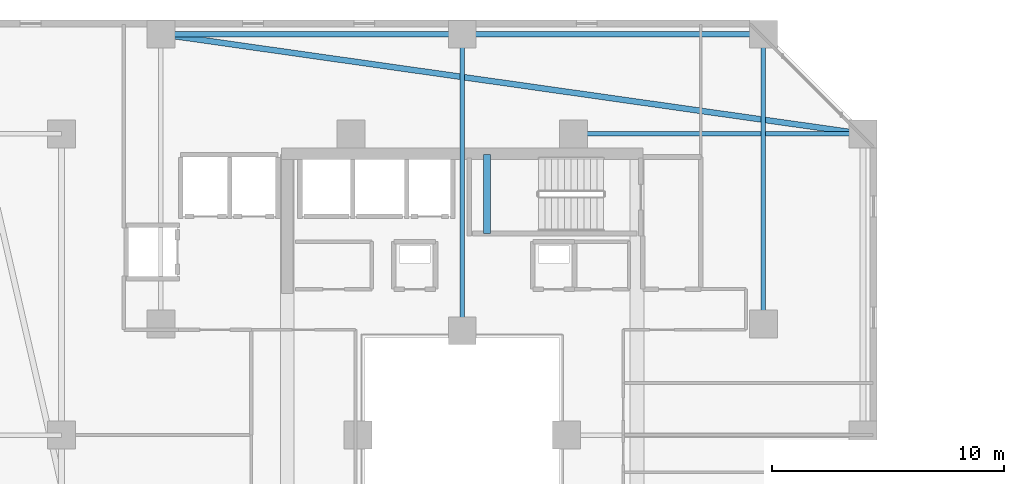
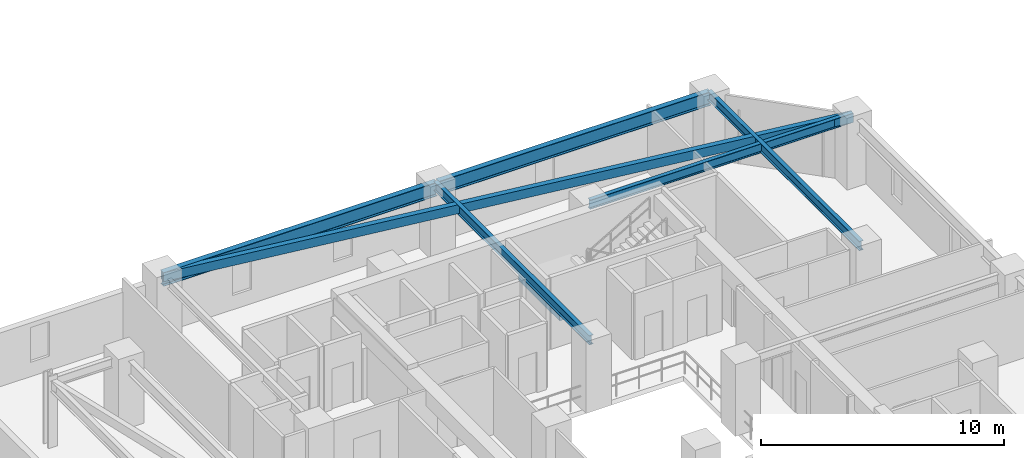
# One storey, part 8 of 33: 7 beams.
"""IFC4 building model written with IfcOpenShell, lengths in metres."""

from ifc_helpers import new_model, si_unit, direction, frame, origin, origin_2d, place, context, subcontext, project, spatial, rectangle, hollow_rectangle, i_section, extrude, material, material_profile, profile_set, type_object, element, save


model = new_model("IFC4")

# Units and contexts
model_context = context("Model", 3, precision=1e-05, world=origin(), true_north=direction((0.0, 1.0)))
body_context = subcontext(model_context, "Body", "Model", "MODEL_VIEW")
ifc_project = project(units=[si_unit("LENGTHUNIT", "METRE"), si_unit("AREAUNIT", "SQUARE_METRE"), si_unit("VOLUMEUNIT", "CUBIC_METRE"), si_unit("PLANEANGLEUNIT", "RADIAN"), si_unit("MASSUNIT", "GRAM", prefix="KILO")], contexts=[model_context])

# Site, building, storey
site_placement = place(None, origin())
site = spatial("IfcSite", under=ifc_project, at=site_placement, CompositionType="ELEMENT")
building_placement = place(site_placement, origin())
building = spatial("IfcBuilding", under=site, at=building_placement, Name="Thornwick Lancets Civic Towers", CompositionType="ELEMENT")
storey_placement = place(building_placement, frame((0.0, 0.0, 130.5)))
storey = spatial("IfcBuildingStorey", under=building, at=storey_placement, Name="L34", CompositionType="ELEMENT", Elevation=130.5)

# Beams
ifc_material_1 = material(Name="Steel S355JR", Category="steel")
ifc_material_profile_1 = material_profile(ifc_material_1, i_section(OverallWidth=0.255859375, OverallDepth=0.69287109375, WebThickness=0.014404296875, FlangeThickness=0.023681640625, FilletRadius=0.01513671875, at=origin_2d()), Name="UKB 686x254x170")
ifc_profile_set_1 = profile_set([ifc_material_profile_1], Name="Steel S355JR")
beam_type_1 = type_object("IfcBeamType", Name="BM_GIRD_686_170", PredefinedType="BEAM", material=ifc_profile_set_1)
beam_1_placement = place(storey_placement, frame((12.5, 44.300048828125, 3.013671875), z_axis=(1.0, 0.0, 0.0), x_axis=(0.0, 1.0, 0.0)))
element("IfcBeam", 1, at=beam_1_placement, inside=storey, type_object=beam_type_1, Name="BM-SPINE-L34-A-6-7", PredefinedType="BEAM", context=body_context, shape_type="SweptSolid", body=[
    extrude(i_section(OverallWidth=0.255859375, OverallDepth=0.69287109375, WebThickness=0.014404296875, FlangeThickness=0.023681640625, FilletRadius=0.01513671875, at=origin_2d()), origin(), (0.0, 0.0, 1.0), 13.0),
])
beam_2_placement = place(storey_placement, frame((25.580078125, 44.300048828125, 3.013671875), z_axis=(1.0, 0.0, 0.0), x_axis=(0.0, 1.0, 0.0)))
element("IfcBeam", 2, at=beam_2_placement, inside=storey, type_object=beam_type_1, Name="BM-SPINE-L34-A-7-8", PredefinedType="BEAM", context=body_context, shape_type="SweptSolid", body=[
    extrude(i_section(OverallWidth=0.255859375, OverallDepth=0.69287109375, WebThickness=0.014404296875, FlangeThickness=0.023681640625, FilletRadius=0.01513671875, at=origin_2d()), origin(), (0.0, 0.0, 1.0), 12.919921875),
])
ifc_material_profile_2 = material_profile(ifc_material_1, i_section(OverallWidth=0.19287109375, OverallDepth=0.46728515625, WebThickness=0.011474609375, FlangeThickness=0.01953125, FilletRadius=0.01025390625, at=origin_2d()), Name="UKB 457x191x98")
ifc_profile_set_2 = profile_set([ifc_material_profile_2], Name="Steel S355JR")
beam_type_2 = type_object("IfcBeamType", Name="BM_JOIST_457_98", PredefinedType="JOIST", material=ifc_profile_set_2)
beam_3_placement = place(storey_placement, frame((30.300048828125, 40.0, 3.12646484375), z_axis=(1.0, 0.0, 0.0), x_axis=(0.0, 1.0, 0.0)))
element("IfcBeam", 3, at=beam_3_placement, inside=storey, type_object=beam_type_2, Name="BM-RADIN-L34-A06", PredefinedType="JOIST", context=body_context, shape_type="SweptSolid", body=[
    extrude(i_section(OverallWidth=0.19287109375, OverallDepth=0.46728515625, WebThickness=0.011474609375, FlangeThickness=0.01953125, FilletRadius=0.01025390625, at=origin_2d()), origin(), (0.0, 0.0, 1.0), 12.5),
])
beam_4_placement = place(storey_placement, frame((25.5, 31.5, 3.12646484375), z_axis=(0.0, 1.0, 0.0), x_axis=(-1.0, 0.0, 0.0)))
element("IfcBeam", 4, at=beam_4_placement, inside=storey, type_object=beam_type_2, Name="BM-RADIN-L34-A08", PredefinedType="JOIST", context=body_context, shape_type="SweptSolid", body=[
    extrude(i_section(OverallWidth=0.19287109375, OverallDepth=0.46728515625, WebThickness=0.011474609375, FlangeThickness=0.01953125, FilletRadius=0.01025390625, at=origin_2d()), origin(), (0.0, 0.0, 1.0), 12.800048828125),
])
beam_5_placement = place(storey_placement, frame((38.5, 31.800048828125, 3.12646484375), z_axis=(0.0, 1.0, 0.0), x_axis=(-1.0, 0.0, 0.0)))
element("IfcBeam", 5, at=beam_5_placement, inside=storey, type_object=beam_type_2, Name="BM-RADIN-L34-A09", PredefinedType="JOIST", context=body_context, shape_type="SweptSolid", body=[
    extrude(i_section(OverallWidth=0.19287109375, OverallDepth=0.46728515625, WebThickness=0.011474609375, FlangeThickness=0.01953125, FilletRadius=0.01025390625, at=origin_2d()), origin(), (0.0, 0.0, 1.0), 12.5),
])
ifc_material_profile_3 = material_profile(ifc_material_1, hollow_rectangle(XDim=0.25, YDim=0.449951171875, WallThickness=0.01611328125, at=origin_2d()), Name="RHS 450x250x16")
ifc_profile_set_3 = profile_set([ifc_material_profile_3], Name="Steel S355JR")
beam_type_3 = type_object("IfcBeamType", Name="BM_RING_RHS450", PredefinedType="BEAM", material=ifc_profile_set_3)
beam_6_placement = place(storey_placement, frame((42.800048828125, 40.0, 3.135009765625), z_axis=(-0.990079584012, 0.140507712682, 0.0), x_axis=(-0.140507712682, -0.990079584012, 0.0)))
element("IfcBeam", 6, at=beam_6_placement, inside=storey, type_object=beam_type_3, Name="BM-CHAMF-L34-A-C1", PredefinedType="BEAM", context=body_context, shape_type="SweptSolid", body=[
    extrude(hollow_rectangle(XDim=0.25, YDim=0.449951171875, WallThickness=0.01611328125, at=origin_2d()), origin(), (0.0, 0.0, 1.0), 30.603759765625),
])
ifc_material_2 = material(Name="Concrete C40/50", Category="concrete")
ifc_material_profile_4 = material_profile(ifc_material_2, rectangle(XDim=0.300048828125, YDim=0.35009765625, at=origin_2d()), Name="RC 300x350")
ifc_profile_set_4 = profile_set([ifc_material_profile_4], Name="Concrete C40/50")
beam_type_4 = type_object("IfcBeamType", Name="BM_STAIR_LDG", PredefinedType="BEAM", material=ifc_profile_set_4)
beam_7_placement = place(storey_placement, frame((26.56494140625, 39.10009765625, 1.3779296875), z_axis=(0.0, -1.0, 0.0), x_axis=(1.0, 0.0, 0.0)))
element("IfcBeam", 7, at=beam_7_placement, inside=storey, type_object=beam_type_4, Name="L34 ST-A2 Landing Support Beam 1", PredefinedType="BEAM", context=body_context, shape_type="SweptSolid", body=[
    extrude(rectangle(XDim=0.300048828125, YDim=0.35009765625, at=origin_2d()), origin(), (0.0, 0.0, 1.0), 3.400146484375),
])

save(model, "model.ifc")
